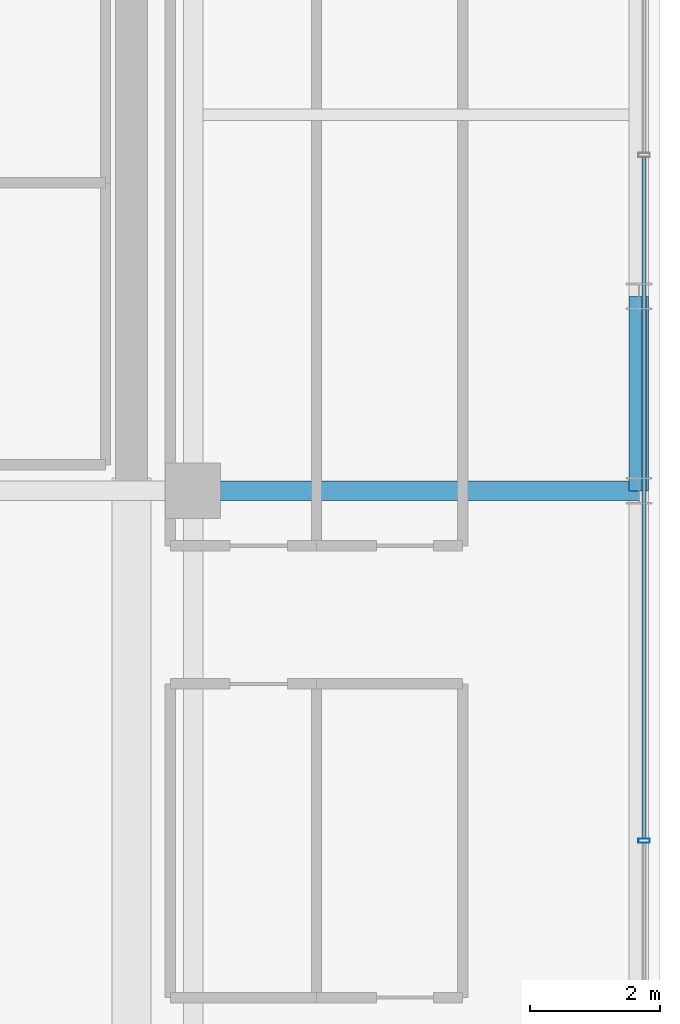
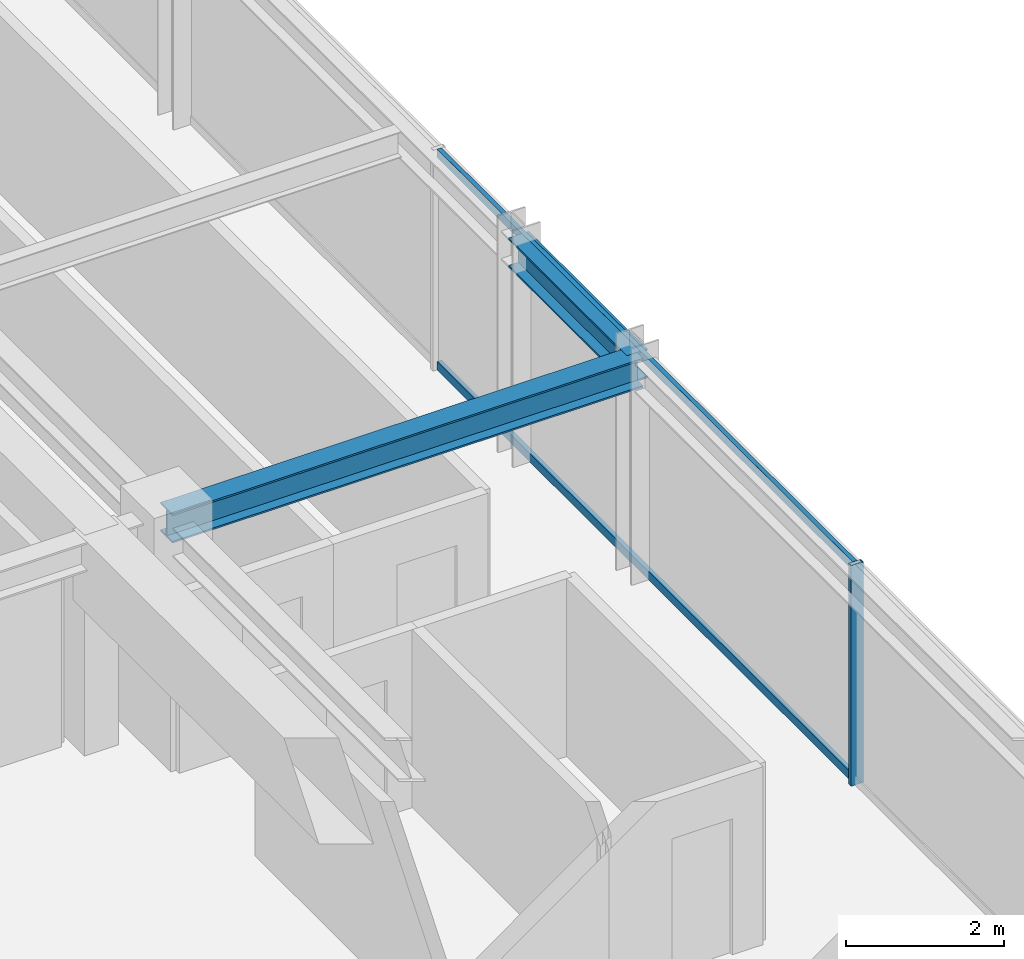
# One storey, part 17 of 36: 3 members, 2 beams, 1 element without a shape of its own.
"""IFC4 building model written with IfcOpenShell, lengths in metres."""

from ifc_helpers import new_model, si_unit, direction, frame, origin, origin_2d, place, context, subcontext, project, spatial, hollow_rectangle, i_section, extrude, source, transform, mapped, material, material_profile, profile_set, type_object, element, aggregate, save


model = new_model("IFC4")

# Units and contexts
model_context = context("Model", 3, precision=1e-05, world=origin(), true_north=direction((0.0, 1.0)))
body_context = subcontext(model_context, "Body", "Model", "MODEL_VIEW")
ifc_project = project(units=[si_unit("LENGTHUNIT", "METRE"), si_unit("AREAUNIT", "SQUARE_METRE"), si_unit("VOLUMEUNIT", "CUBIC_METRE"), si_unit("PLANEANGLEUNIT", "RADIAN"), si_unit("MASSUNIT", "GRAM", prefix="KILO")], contexts=[model_context])

# Site, building, storey
site_placement = place(None, origin())
site = spatial("IfcSite", under=ifc_project, at=site_placement, CompositionType="ELEMENT")
building_placement = place(site_placement, origin())
building = spatial("IfcBuilding", under=site, at=building_placement, Name="Nahalor Promenade Grand Hotel", CompositionType="ELEMENT")
storey_placement = place(building_placement, frame((0.0, 0.0, 241.89990234375)))
storey = spatial("IfcBuildingStorey", under=building, at=storey_placement, Name="L62", CompositionType="ELEMENT", Elevation=241.89990234375)

# Beams
ifc_material_1 = material(Name="Steel S355JR", Category="steel")
ifc_material_profile_1 = material_profile(ifc_material_1, i_section(OverallWidth=0.3, OverallDepth=0.45, WebThickness=0.014, FlangeThickness=0.026, at=origin_2d()), Name="HEB 450")
ifc_profile_set_1 = profile_set([ifc_material_profile_1], Name="Steel S355JR")
beam_type_1 = type_object("IfcBeamType", Name="Beam-Spandrel-HEB450", PredefinedType="SPANDREL", material=ifc_profile_set_1)
shared_shape_1 = source(origin(), body_context, "Body", "SweptSolid", [
    extrude(i_section(OverallWidth=0.3, OverallDepth=0.45, WebThickness=0.014, FlangeThickness=0.026, at=origin_2d()), origin(), (0.0, 0.0, 1.0), 3.0),
])
beam_1_placement = place(storey_placement, frame((23.8798828125, 5.39990234375, 3.18505859375), z_axis=(0.0, 1.0, 0.0), x_axis=(-1.0, 0.0, 0.0)))
element("IfcBeam", 1, at=beam_1_placement, inside=storey, type_object=beam_type_1, Name="BM-L62-SP-E-3", PredefinedType="SPANDREL", context=body_context, shape_type="MappedRepresentation", body=[
    mapped(shared_shape_1, transform((0.0, 0.0, 0.0), scale=1.0)),
])
ifc_material_profile_2 = material_profile(ifc_material_1, i_section(OverallWidth=0.3, OverallDepth=0.45, WebThickness=0.014, FlangeThickness=0.026, at=origin_2d()), Name="HEB 450")
ifc_profile_set_2 = profile_set([ifc_material_profile_2], Name="Steel S355JR")
beam_type_2 = type_object("IfcBeamType", Name="Beam-Girder-HEB450", PredefinedType="BEAM", material=ifc_profile_set_2)
shared_shape_2 = source(origin(), body_context, "Body", "SweptSolid", [
    extrude(i_section(OverallWidth=0.3, OverallDepth=0.45, WebThickness=0.014, FlangeThickness=0.026, at=origin_2d()), origin(), (0.0, 0.0, 1.0), 6.8798828125),
])
beam_2_placement = place(storey_placement, frame((17.0, 5.39990234375, 3.18505859375), z_axis=(1.0, 0.0, 0.0), x_axis=(0.0, 1.0, 0.0)))
element("IfcBeam", 2, at=beam_2_placement, inside=storey, type_object=beam_type_2, Name="BM-L62-GX-2-6", PredefinedType="BEAM", context=body_context, shape_type="MappedRepresentation", body=[
    mapped(shared_shape_2, transform((0.0, 0.0, 0.0), scale=1.0)),
])

# Curtain wall, members
ifc_material_2 = material(Name="Anodised Bronze Aluminium EN AW-6063 T6", Category="aluminium")
curtain_wall_type = type_object("IfcCurtainWallType", Name="CW2 Typical Hotel Flush Bronze Unitised Curtain Wall", PredefinedType="USERDEFINED", material=ifc_material_2)
curtain_wall_placement = place(storey_placement, origin())
curtain_wall = element("IfcCurtainWall", 3, at=curtain_wall_placement, inside=storey, type_object=curtain_wall_type, Name="L62 Curtain Wall CW-L62-E-1", ObjectType="UNITISED_CURTAIN_WALL", PredefinedType="USERDEFINED")
ifc_material_profile_3 = material_profile(ifc_material_2, hollow_rectangle(XDim=0.065, YDim=0.18, WallThickness=0.004, at=origin_2d()), Name="CWM 65x180x4")
ifc_profile_set_3 = profile_set([ifc_material_profile_3], Name="Anodised Bronze Aluminium EN AW-6063 T6")
member_type_1 = type_object("IfcMemberType", Name="CWM2 Typical Bronze Mullion 65x180", PredefinedType="MULLION", material=ifc_profile_set_3)
shared_shape_3 = source(origin(), body_context, "Body", "SweptSolid", [
    extrude(hollow_rectangle(XDim=0.065, YDim=0.18, WallThickness=0.004, at=origin_2d()), origin(), (0.0, 0.0, 1.0), 3.41015625),
])
member_1_placement = place(storey_placement, frame((23.9599609375, 0.0, 0.0), z_axis=(0.0, 0.0, 1.0), x_axis=(0.0, 1.0, 0.0)))
member_1 = element("IfcMember", 4, at=member_1_placement, type_object=member_type_1, Name="CW-L62-E-1 Mullion 2", PredefinedType="MULLION", context=body_context, shape_type="MappedRepresentation", body=[
    mapped(shared_shape_3, transform((0.0, 0.0, 0.0), scale=1.0)),
])
ifc_material_profile_4 = material_profile(ifc_material_2, hollow_rectangle(XDim=0.065, YDim=0.13, WallThickness=0.004, at=origin_2d()), Name="CWT 65x130x4")
ifc_profile_set_4 = profile_set([ifc_material_profile_4], Name="Anodised Bronze Aluminium EN AW-6063 T6")
member_type_2 = type_object("IfcMemberType", Name="CWT2 Typical Bronze Transom 65x130", PredefinedType="USERDEFINED", material=ifc_profile_set_4)
shared_shape_4 = source(origin(), body_context, "Body", "SweptSolid", [
    extrude(hollow_rectangle(XDim=0.065, YDim=0.13, WallThickness=0.004, at=origin_2d()), origin(), (0.0, 0.0, 1.0), 10.51513671875),
])
member_2_placement = place(storey_placement, frame((23.9599609375, 0.032470703125, 0.065185546875), z_axis=(0.0, 1.0, 0.0), x_axis=(-1.0, 0.0, 0.0)))
member_2 = element("IfcMember", 5, at=member_2_placement, type_object=member_type_2, Name="CW-L62-E-1 Transom 2-0", ObjectType="TRANSOM", PredefinedType="USERDEFINED", context=body_context, shape_type="MappedRepresentation", body=[
    mapped(shared_shape_4, transform((0.0, 0.0, 0.0), scale=1.0)),
])
member_3_placement = place(storey_placement, frame((23.9599609375, 0.032470703125, 3.34521484375), z_axis=(0.0, 1.0, 0.0), x_axis=(-1.0, 0.0, 0.0)))
member_3 = element("IfcMember", 6, at=member_3_placement, type_object=member_type_2, Name="CW-L62-E-1 Transom 2-1", ObjectType="TRANSOM", PredefinedType="USERDEFINED", context=body_context, shape_type="MappedRepresentation", body=[
    mapped(shared_shape_4, transform((0.0, 0.0, 0.0), scale=1.0)),
])
aggregate(curtain_wall, [member_1, member_2, member_3])

save(model, "model.ifc")
